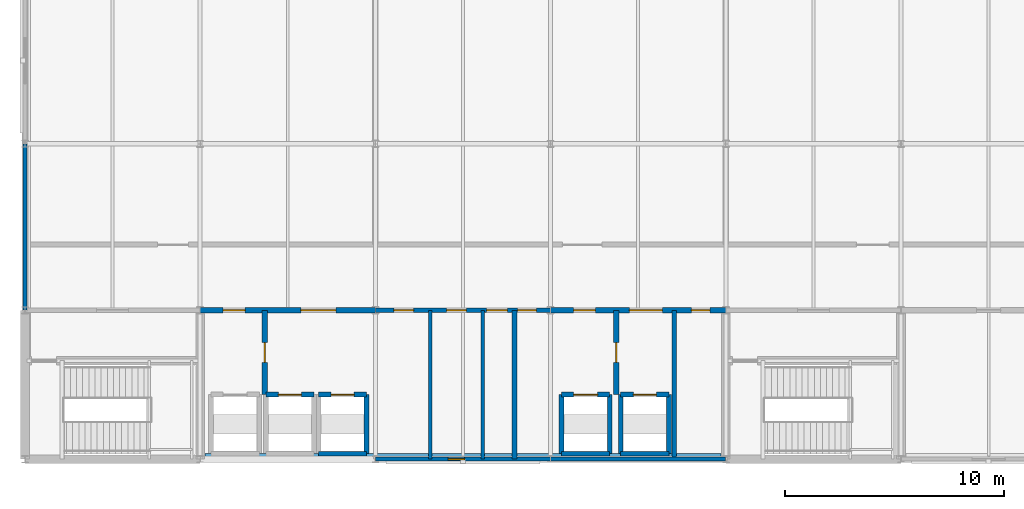
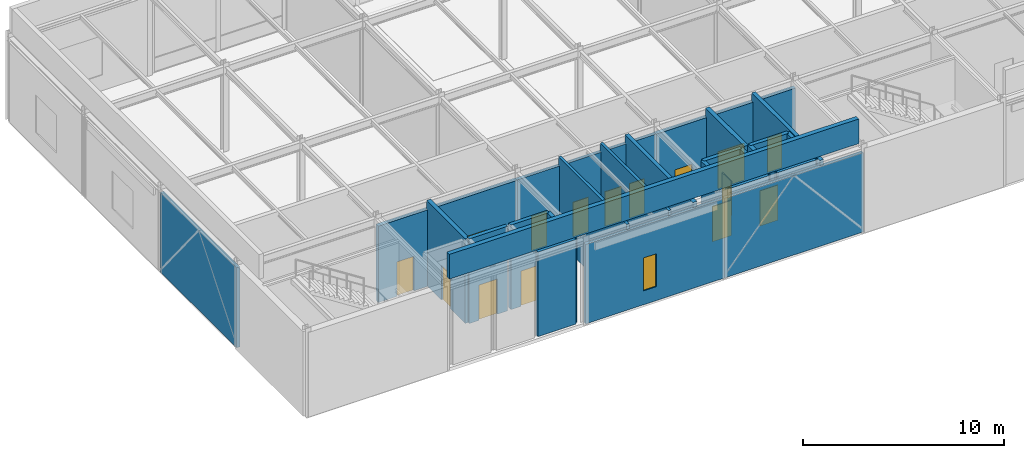
# One storey, part 9 of 12: 25 walls, 15 doors, 1 window, 16 openings.
"""IFC4 building model written with IfcOpenShell, lengths in metres."""

import ifcopenshell
import ifcopenshell.guid

model = None  # the IFC model being written
_history = None  # IfcOwnerHistory: only IFC2X3 demands one
_inside = {}  # id of a spatial element -> (the spatial element, [elements in it])
_under = {}  # id of a project, library or spatial element -> (it, [spatial elements below it])
_declared = {}  # id of a project -> (the project, [libraries it declares])
_typed = {}  # id of a type object -> (the type object, [elements of that type])
_made_of = {}  # id of a material, layer set ... -> (it, [elements and type objects made of it])


def new_model(schema):
    """Start an empty IFC model of exactly this schema.

    Asked for "IFC4X3", IfcOpenShell would pick the latest addendum, in which some entities
    have other attributes; the version numbers below select the first issue.
    IFC2X3 requires an IfcOwnerHistory on every rooted entity: one is made here for all.
    """
    global model, _history
    if schema == "IFC4X3":
        model = ifcopenshell.file(schema_version=(4, 3, 0, 0))
    else:
        model = ifcopenshell.file(schema=schema)
    _inside.clear()
    _under.clear()
    _declared.clear()
    _typed.clear()
    _made_of.clear()
    _history = None
    if model.schema == "IFC2X3":
        org = make("IfcOrganization", Name="unknown")
        user = make(
            "IfcPersonAndOrganization",
            ThePerson=make("IfcPerson", FamilyName="unknown"),
            TheOrganization=org,
        )
        app = make(
            "IfcApplication",
            ApplicationDeveloper=org,
            Version="unknown",
            ApplicationFullName="unknown",
            ApplicationIdentifier="unknown",
        )
        _history = make(
            "IfcOwnerHistory",
            OwningUser=user,
            OwningApplication=app,
            ChangeAction="ADDED",
            CreationDate=0,
        )
    return model


def make(cls, **values):
    """One entity of the class cls with the attributes given. An attribute that is None is left unset."""
    return model.create_entity(
        cls, **{name: value for name, value in values.items() if value is not None}
    )


def rooted(cls, **values):
    """An entity with a GlobalId (a new one), such as an element, a storey or a relation."""
    return make(cls, GlobalId=ifcopenshell.guid.new(), OwnerHistory=_history, **values)


def si_unit(unit_type, name, prefix=None):
    """IfcSIUnit, for example si_unit("LENGTHUNIT", "METRE", prefix="MILLI")."""
    return make("IfcSIUnit", UnitType=unit_type, Prefix=prefix, Name=name)


def assignment(units):
    """IfcUnitAssignment: the units of a project."""
    return None if units is None else make("IfcUnitAssignment", Units=units)


def point(xyz):
    """IfcCartesianPoint."""
    return None if xyz is None else make("IfcCartesianPoint", Coordinates=xyz)


def direction(xyz):
    """IfcDirection."""
    return None if xyz is None else make("IfcDirection", DirectionRatios=xyz)


def frame(location, z_axis=None, x_axis=None):
    """IfcAxis2Placement3D, a coordinate frame: its origin and axes. An axis left out is left unset."""
    return make(
        "IfcAxis2Placement3D",
        Location=point(location),
        Axis=direction(z_axis),
        RefDirection=direction(x_axis),
    )


def frame_2d(location, x_axis=None):
    """IfcAxis2Placement2D, a coordinate frame in the plane: its origin and x axis."""
    return make(
        "IfcAxis2Placement2D", Location=point(location), RefDirection=direction(x_axis)
    )


def origin():
    """The frame at (0, 0, 0) with its axes left unset."""
    return frame((0.0, 0.0, 0.0))


def place(relative_to, where):
    """IfcLocalPlacement: puts the frame where relative to a parent placement (None: the world)."""
    return make(
        "IfcLocalPlacement", PlacementRelTo=relative_to, RelativePlacement=where
    )


def context(
    kind, dimensions, precision=None, world=None, true_north=None, identifier=None
):
    """IfcGeometricRepresentationContext, for example the 3D "Model" context."""
    return make(
        "IfcGeometricRepresentationContext",
        ContextIdentifier=identifier,
        ContextType=kind,
        CoordinateSpaceDimension=dimensions,
        Precision=precision,
        WorldCoordinateSystem=world,
        TrueNorth=true_north,
    )


def subcontext(parent, identifier, kind, view, scale=None):
    """IfcGeometricRepresentationSubContext, for example "Body" below "Model"."""
    return make(
        "IfcGeometricRepresentationSubContext",
        ContextIdentifier=identifier,
        ContextType=kind,
        ParentContext=parent,
        TargetScale=scale,
        TargetView=view,
    )


def project(units=None, contexts=None):
    """IfcProject with its units and contexts."""
    return rooted(
        "IfcProject",
        Name="project",
        RepresentationContexts=contexts,
        UnitsInContext=assignment(units),
    )


def spatial(cls, under=None, at=None, **own):
    """A site, building, storey or space (cls), placed at a placement, below another one or the project."""
    s = rooted(cls, ObjectPlacement=at, **own)
    if under is not None:
        _under.setdefault(under.id(), (under, []))[1].append(s)
    return s


def profile(cls, at=None, kind="AREA", **sizes):
    """A parametric profile (cls). Its sizes go by their IFC names, for example OverallWidth=200.0."""
    return make(cls, ProfileType=kind, Position=at, **sizes)


def rectangle(**sizes):
    """IfcRectangleProfileDef."""
    return profile("IfcRectangleProfileDef", **sizes)


def extrude(swept, where, along, depth):
    """IfcExtrudedAreaSolid: the profile swept, set in the frame where, extruded along a direction by depth."""
    return make(
        "IfcExtrudedAreaSolid",
        SweptArea=swept,
        Position=where,
        ExtrudedDirection=direction(along),
        Depth=depth,
    )


def shape(context_of_items, identifier, shape_type, items):
    """IfcShapeRepresentation: the items that make up one representation, for example the "Body"."""
    return make(
        "IfcShapeRepresentation",
        ContextOfItems=context_of_items,
        RepresentationIdentifier=identifier,
        RepresentationType=shape_type,
        Items=items,
    )


def material(Name=None, Category=None):
    """IfcMaterial."""
    return make("IfcMaterial", Name=Name, Category=Category)


def layer(
    of_material, thickness, ventilated=None, Name=None, Category=None, Priority=None
):
    """IfcMaterialLayer: one layer of a wall or slab, of a material (None: an air gap)."""
    return make(
        "IfcMaterialLayer",
        Material=of_material,
        LayerThickness=thickness,
        IsVentilated=ventilated,
        Name=Name,
        Category=Category,
        Priority=Priority,
    )


def layer_set(layers, Name=None):
    """IfcMaterialLayerSet."""
    return make("IfcMaterialLayerSet", MaterialLayers=layers, LayerSetName=Name)


def made_of(thing, what):
    """Note that an element or type object is made of a material, layer set ...; save() writes the relation."""
    if what is not None:
        _made_of.setdefault(what.id(), (what, []))[1].append(thing)
    return thing


def type_object(cls, material=None, **own):
    """A type object (cls), such as IfcWallType, which elements share."""
    return made_of(rooted(cls, **own), material)


def element(
    cls,
    number,
    at=None,
    inside=None,
    cuts=None,
    type_object=None,
    material=None,
    context=None,
    identifier="Body",
    shape_type=None,
    held_by="IfcProductDefinitionShape",
    body=None,
    shapes=None,
    **own,
):
    """One element of the class cls, such as IfcWall. Its Tag is "e" and its number.

    at: its placement. inside: the storey or other place that contains it. cuts: it is an
    opening in that element (IfcRelVoidsElement). A single representation is given by context,
    identifier, shape_type and body (its items); several are given by shapes. held_by: the class
    of the entity that holds the representations. save() writes the other relations.
    """
    e = rooted(cls, Tag="e%d" % number, ObjectPlacement=at, **own)
    if body is not None:
        shapes = [shape(context, identifier, shape_type, body)]
    if shapes is not None:
        e.Representation = make(held_by, Representations=shapes)
    if inside is not None:
        _inside.setdefault(inside.id(), (inside, []))[1].append(e)
    if cuts is not None:
        rooted(
            "IfcRelVoidsElement", RelatingBuildingElement=cuts, RelatedOpeningElement=e
        )
    if type_object is not None:
        _typed.setdefault(type_object.id(), (type_object, []))[1].append(e)
    return made_of(e, material)


def fill(opening, filler):
    """IfcRelFillsElement: the door or window that sits in an opening."""
    return rooted(
        "IfcRelFillsElement",
        RelatingOpeningElement=opening,
        RelatedBuildingElement=filler,
    )


def aggregate(whole, parts):
    """IfcRelAggregates: a whole, such as a stair, and the parts it consists of."""
    return rooted("IfcRelAggregates", RelatingObject=whole, RelatedObjects=parts)


def save(model, path):
    """Write the relations noted so far, then the file.

    IfcRelAggregates (storeys below a building ...), IfcRelContainedInSpatialStructure (elements
    in a storey), IfcRelDefinesByType, IfcRelAssociatesMaterial and IfcRelDeclares: one each for
    every whole, place, type object, material and project.
    """
    for whole, parts in _under.values():
        aggregate(whole, parts)
    for where, things in _inside.values():
        rooted(
            "IfcRelContainedInSpatialStructure",
            RelatedElements=things,
            RelatingStructure=where,
        )
    for kind, things in _typed.values():
        rooted("IfcRelDefinesByType", RelatedObjects=things, RelatingType=kind)
    for what, things in _made_of.values():
        rooted("IfcRelAssociatesMaterial", RelatedObjects=things, RelatingMaterial=what)
    for by, libraries in _declared.values():
        rooted("IfcRelDeclares", RelatingContext=by, RelatedDefinitions=libraries)
    model.write(path)


model = new_model("IFC4")

# Units and contexts
model_context = context("Model", 3, precision=1e-05, world=origin(), true_north=direction((0.0, 1.0)))
body_context = subcontext(model_context, "Body", "Model", "MODEL_VIEW")
ifc_project = project(units=[si_unit("LENGTHUNIT", "METRE"), si_unit("AREAUNIT", "SQUARE_METRE"), si_unit("VOLUMEUNIT", "CUBIC_METRE"), si_unit("PLANEANGLEUNIT", "RADIAN"), si_unit("MASSUNIT", "GRAM", prefix="KILO")], contexts=[model_context])

# Site, building, storey
site_placement = place(None, origin())
site = spatial("IfcSite", under=ifc_project, at=site_placement, CompositionType="ELEMENT")
building_placement = place(site_placement, origin())
building = spatial("IfcBuilding", under=site, at=building_placement, Name="Shalkamar Park Central Library", CompositionType="ELEMENT")
storey_placement = place(building_placement, frame((0.0, 0.0, 72.300048828125)))
storey = spatial("IfcBuildingStorey", under=building, at=storey_placement, Name="L18", CompositionType="ELEMENT", Elevation=72.300048828125)

# Wall, opening, door
ifc_material_1 = material(Name="Reinforced fire-compartment masonry wall", Category="masonry")
ifc_layer_1 = layer(ifc_material_1, 0.239990234375)
ifc_layer_set_1 = layer_set([ifc_layer_1], Name="CompartmentWall_240")
wall_type_1 = type_object("IfcWallType", Name="Compartment Wall 240", PredefinedType="PARTITIONING", material=ifc_layer_set_1)
wall_1_placement = place(storey_placement, frame((175.949951171875, 251.35009765625, 0.0), z_axis=(0.0, 0.0, 1.0), x_axis=(0.0, 1.0, 0.0)))
wall_1 = element("IfcWall", 1, at=wall_1_placement, inside=storey, type_object=wall_type_1, Name="Interior Partition WL-INT-L18-001", PredefinedType="PARTITIONING", context=body_context, shape_type="SweptSolid", body=[
    extrude(rectangle(XDim=3.849853515625, YDim=0.239990234375, at=frame_2d((1.9248046875, 0.0))), origin(), (0.0, 0.0, 1.0), 5.14990234375),
])
opening_1_placement = place(wall_1_placement, frame((1.47509765625, 0.0, 0.0)))
opening_1 = element("IfcOpeningElement", 2, at=opening_1_placement, cuts=wall_1, Name="Opening DR-L18-001", PredefinedType="OPENING", context=body_context, shape_type="SweptSolid", body=[
    extrude(rectangle(XDim=0.89990234375, YDim=2.10009765625, at=frame_2d((0.449951171875, 1.050048828125))), frame((0.0, 0.134765625, 0.0), z_axis=(0.0, -1.0, 0.0), x_axis=(1.0, 0.0, 0.0)), (0.0, 0.0, 1.0), 0.269775390625),
])
ifc_material_2 = material(Name="Steel S355", Category="steel")
door_type_1 = type_object("IfcDoorType", Name="Fire Door Single 900x2100", OperationType="NOTDEFINED", PredefinedType="DOOR", material=ifc_material_2)
door_1_placement = place(opening_1_placement, origin())
door_1 = element("IfcDoor", 3, at=door_1_placement, inside=storey, type_object=door_type_1, Name="Fire Lobby Interconnect Door", OperationType="SINGLE_SWING_LEFT", OverallHeight=2.10009765625, OverallWidth=0.89990234375, PredefinedType="DOOR", context=body_context, shape_type="SweptSolid", body=[
    extrude(rectangle(XDim=0.89990234375, YDim=2.10009765625, at=frame_2d((0.449951171875, 1.050048828125))), frame((0.0, 0.02490234375, 0.0), z_axis=(0.0, -1.0, 0.0), x_axis=(1.0, 0.0, 0.0)), (0.0, 0.0, 1.0), 0.050048828125),
])
fill(opening_1, door_1)

wall_2_placement = place(storey_placement, frame((192.0, 251.35009765625, 0.0), z_axis=(0.0, 0.0, 1.0), x_axis=(0.0, 1.0, 0.0)))
wall_2 = element("IfcWall", 4, at=wall_2_placement, inside=storey, type_object=wall_type_1, Name="Interior Partition WL-INT-L18-002", PredefinedType="PARTITIONING", context=body_context, shape_type="SweptSolid", body=[
    extrude(rectangle(XDim=3.849853515625, YDim=0.239990234375, at=frame_2d((1.9248046875, 0.0))), origin(), (0.0, 0.0, 1.0), 5.14990234375),
])
opening_2_placement = place(wall_2_placement, frame((1.47509765625, 0.0, 0.0)))
opening_2 = element("IfcOpeningElement", 5, at=opening_2_placement, cuts=wall_2, Name="Opening DR-L18-002", PredefinedType="OPENING", context=body_context, shape_type="SweptSolid", body=[
    extrude(rectangle(XDim=0.89990234375, YDim=2.10009765625, at=frame_2d((0.449951171875, 1.050048828125))), frame((0.0, 0.134765625, 0.0), z_axis=(0.0, -1.0, 0.0), x_axis=(1.0, 0.0, 0.0)), (0.0, 0.0, 1.0), 0.269775390625),
])
door_2_placement = place(opening_2_placement, frame((0.89990234375, 0.0, 0.0), z_axis=(0.0, 0.0, 1.0), x_axis=(-1.0, 0.0, 0.0)))
door_2 = element("IfcDoor", 6, at=door_2_placement, inside=storey, type_object=door_type_1, Name="Fire Lobby Interconnect Door", OperationType="SINGLE_SWING_LEFT", OverallHeight=2.10009765625, OverallWidth=0.89990234375, PredefinedType="DOOR", context=body_context, shape_type="SweptSolid", body=[
    extrude(rectangle(XDim=0.89990234375, YDim=2.10009765625, at=frame_2d((0.449951171875, 1.050048828125))), frame((0.0, 0.02490234375, 0.0), z_axis=(0.0, -1.0, 0.0), x_axis=(1.0, 0.0, 0.0)), (0.0, 0.0, 1.0), 0.050048828125),
])
fill(opening_2, door_2)

# Wall, openings, doors
wall_3_placement = place(storey_placement, frame((173.0, 255.199951171875, 0.0), z_axis=(0.0, 0.0, 1.0), x_axis=(1.0, 0.0, 0.0)))
wall_3 = element("IfcWall", 7, at=wall_3_placement, inside=storey, type_object=wall_type_1, Name="Interior Partition WL-INT-L18-007", PredefinedType="PARTITIONING", context=body_context, shape_type="SweptSolid", body=[
    extrude(rectangle(XDim=8.0, YDim=0.239990234375, at=frame_2d((4.0, 0.0))), origin(), (0.0, 0.0, 1.0), 4.64794921875),
])
opening_3_placement = place(wall_3_placement, frame((1.050048828125, 0.0, 0.0)))
opening_3 = element("IfcOpeningElement", 8, at=opening_3_placement, cuts=wall_3, Name="Opening DR-L18-003", PredefinedType="OPENING", context=body_context, shape_type="SweptSolid", body=[
    extrude(rectangle(XDim=1.0, YDim=2.10009765625, at=frame_2d((0.5, 1.050048828125))), frame((0.0, 0.134765625, 0.0), z_axis=(0.0, -1.0, 0.0), x_axis=(1.0, 0.0, 0.0)), (0.0, 0.0, 1.0), 0.269775390625),
])
opening_4_placement = place(wall_3_placement, frame((4.60009765625, 0.0, 0.0)))
opening_4 = element("IfcOpeningElement", 9, at=opening_4_placement, cuts=wall_3, Name="Opening DR-L18-004", PredefinedType="OPENING", context=body_context, shape_type="SweptSolid", body=[
    extrude(rectangle(XDim=1.60009765625, YDim=2.25, at=frame_2d((0.800048828125, 1.125))), frame((0.0, 0.134765625, 0.0), z_axis=(0.0, -1.0, 0.0), x_axis=(1.0, 0.0, 0.0)), (0.0, 0.0, 1.0), 0.269775390625),
])
door_type_2 = type_object("IfcDoorType", Name="Fire Door Single 1000x2100", OperationType="NOTDEFINED", PredefinedType="DOOR", material=ifc_material_2)
door_3_placement = place(opening_3_placement, origin())
door_3 = element("IfcDoor", 10, at=door_3_placement, inside=storey, type_object=door_type_2, Name="West Firefighting Lobby Door", OperationType="SINGLE_SWING_LEFT", OverallHeight=2.10009765625, OverallWidth=1.0, PredefinedType="DOOR", context=body_context, shape_type="SweptSolid", body=[
    extrude(rectangle(XDim=1.0, YDim=2.10009765625, at=frame_2d((0.5, 1.050048828125))), frame((0.0, 0.02490234375, 0.0), z_axis=(0.0, -1.0, 0.0), x_axis=(1.0, 0.0, 0.0)), (0.0, 0.0, 1.0), 0.050048828125),
])
fill(opening_3, door_3)
door_type_3 = type_object("IfcDoorType", Name="Interior Door Double 1600x2250", OperationType="DOUBLE_DOOR_SINGLE_SWING", PredefinedType="DOOR", material=ifc_material_2)
door_4_placement = place(opening_4_placement, frame((1.60009765625, 0.0, 0.0), z_axis=(0.0, 0.0, 1.0), x_axis=(-1.0, 0.0, 0.0)))
door_4 = element("IfcDoor", 11, at=door_4_placement, inside=storey, type_object=door_type_3, Name="West Lift Lobby Entrance", OperationType="DOUBLE_DOOR_SINGLE_SWING", OverallHeight=2.25, OverallWidth=1.60009765625, PredefinedType="DOOR", context=body_context, shape_type="SweptSolid", body=[
    extrude(rectangle(XDim=1.60009765625, YDim=2.25, at=frame_2d((0.800048828125, 1.125))), frame((0.0, 0.02490234375, 0.0), z_axis=(0.0, -1.0, 0.0), x_axis=(1.0, 0.0, 0.0)), (0.0, 0.0, 1.0), 0.050048828125),
])
fill(opening_4, door_4)

wall_4_placement = place(storey_placement, frame((189.0, 255.199951171875, 0.0), z_axis=(0.0, 0.0, 1.0), x_axis=(1.0, 0.0, 0.0)))
wall_4 = element("IfcWall", 12, at=wall_4_placement, inside=storey, type_object=wall_type_1, Name="Interior Partition WL-INT-L18-009", PredefinedType="PARTITIONING", context=body_context, shape_type="SweptSolid", body=[
    extrude(rectangle(XDim=8.0, YDim=0.239990234375, at=frame_2d((4.0, 0.0))), origin(), (0.0, 0.0, 1.0), 4.64794921875),
])
opening_5_placement = place(wall_4_placement, frame((1.050048828125, 0.0, 0.0)))
opening_5 = element("IfcOpeningElement", 13, at=opening_5_placement, cuts=wall_4, Name="Opening DR-L18-009", PredefinedType="OPENING", context=body_context, shape_type="SweptSolid", body=[
    extrude(rectangle(XDim=1.0, YDim=2.10009765625, at=frame_2d((0.5, 1.050048828125))), frame((0.0, 0.134765625, 0.0), z_axis=(0.0, -1.0, 0.0), x_axis=(1.0, 0.0, 0.0)), (0.0, 0.0, 1.0), 0.269775390625),
])
opening_6_placement = place(wall_4_placement, frame((3.60009765625, 0.0, 0.0)))
opening_6 = element("IfcOpeningElement", 14, at=opening_6_placement, cuts=wall_4, Name="Opening DR-L18-010", PredefinedType="OPENING", context=body_context, shape_type="SweptSolid", body=[
    extrude(rectangle(XDim=1.5, YDim=2.25, at=frame_2d((0.75, 1.125))), frame((0.0, 0.134765625, 0.0), z_axis=(0.0, -1.0, 0.0), x_axis=(1.0, 0.0, 0.0)), (0.0, 0.0, 1.0), 0.269775390625),
])
opening_7_placement = place(wall_4_placement, frame((6.425048828125, 0.0, 0.0)))
opening_7 = element("IfcOpeningElement", 15, at=opening_7_placement, cuts=wall_4, Name="Opening DR-L18-011", PredefinedType="OPENING", context=body_context, shape_type="SweptSolid", body=[
    extrude(rectangle(XDim=0.85009765625, YDim=2.10009765625, at=frame_2d((0.425048828125, 1.050048828125))), frame((0.0, 0.134765625, 0.0), z_axis=(0.0, -1.0, 0.0), x_axis=(1.0, 0.0, 0.0)), (0.0, 0.0, 1.0), 0.269775390625),
])
door_type_4 = type_object("IfcDoorType", Name="Fire Door Riser 850x2100", OperationType="NOTDEFINED", PredefinedType="DOOR", material=ifc_material_2)
door_5_placement = place(opening_7_placement, frame((0.85009765625, 0.0, 0.0), z_axis=(0.0, 0.0, 1.0), x_axis=(-1.0, 0.0, 0.0)))
door_5 = element("IfcDoor", 16, at=door_5_placement, inside=storey, type_object=door_type_4, Name="Mechanical Riser Access Door", OperationType="SINGLE_SWING_LEFT", OverallHeight=2.10009765625, OverallWidth=0.85009765625, PredefinedType="DOOR", context=body_context, shape_type="SweptSolid", body=[
    extrude(rectangle(XDim=0.85009765625, YDim=2.10009765625, at=frame_2d((0.425048828125, 1.050048828125))), frame((0.0, 0.02490234375, 0.0), z_axis=(0.0, -1.0, 0.0), x_axis=(1.0, 0.0, 0.0)), (0.0, 0.0, 1.0), 0.050048828125),
])
fill(opening_7, door_5)
door_6_placement = place(opening_5_placement, origin())
door_6 = element("IfcDoor", 17, at=door_6_placement, inside=storey, type_object=door_type_2, Name="East Firefighting Lobby Door", OperationType="SINGLE_SWING_LEFT", OverallHeight=2.10009765625, OverallWidth=1.0, PredefinedType="DOOR", context=body_context, shape_type="SweptSolid", body=[
    extrude(rectangle(XDim=1.0, YDim=2.10009765625, at=frame_2d((0.5, 1.050048828125))), frame((0.0, 0.02490234375, 0.0), z_axis=(0.0, -1.0, 0.0), x_axis=(1.0, 0.0, 0.0)), (0.0, 0.0, 1.0), 0.050048828125),
])
fill(opening_5, door_6)
door_type_5 = type_object("IfcDoorType", Name="Interior Door Double 1500x2250", OperationType="DOUBLE_DOOR_SINGLE_SWING", PredefinedType="DOOR", material=ifc_material_2)
door_7_placement = place(opening_6_placement, origin())
door_7 = element("IfcDoor", 18, at=door_7_placement, inside=storey, type_object=door_type_5, Name="East Lift Lobby Entrance", OperationType="DOUBLE_DOOR_SINGLE_SWING", OverallHeight=2.25, OverallWidth=1.5, PredefinedType="DOOR", context=body_context, shape_type="SweptSolid", body=[
    extrude(rectangle(XDim=1.5, YDim=2.25, at=frame_2d((0.75, 1.125))), frame((0.0, 0.02490234375, 0.0), z_axis=(0.0, -1.0, 0.0), x_axis=(1.0, 0.0, 0.0)), (0.0, 0.0, 1.0), 0.050048828125),
])
fill(opening_6, door_7)

ifc_material_3 = material(Name="Fire-rated corridor partition wall", Category="masonry")
ifc_layer_2 = layer(ifc_material_3, 0.199951171875)
ifc_layer_set_2 = layer_set([ifc_layer_2], Name="CorridorFireWall_200")
wall_type_2 = type_object("IfcWallType", Name="Corridor Fire Wall 200", PredefinedType="PARTITIONING", material=ifc_layer_set_2)
wall_5_placement = place(storey_placement, frame((181.0, 255.199951171875, 0.0), z_axis=(0.0, 0.0, 1.0), x_axis=(1.0, 0.0, 0.0)))
wall_5 = element("IfcWall", 19, at=wall_5_placement, inside=storey, type_object=wall_type_2, Name="Interior Partition WL-INT-L18-008", PredefinedType="PARTITIONING", context=body_context, shape_type="SweptSolid", body=[
    extrude(rectangle(XDim=8.0, YDim=0.199951171875, at=frame_2d((4.0, 0.0))), origin(), (0.0, 0.0, 1.0), 4.64794921875),
])
opening_8_placement = place(wall_5_placement, frame((0.85009765625, 0.0, 0.0)))
opening_8 = element("IfcOpeningElement", 20, at=opening_8_placement, cuts=wall_5, Name="Opening DR-L18-005", PredefinedType="OPENING", context=body_context, shape_type="SweptSolid", body=[
    extrude(rectangle(XDim=0.89990234375, YDim=2.10009765625, at=frame_2d((0.449951171875, 1.050048828125))), frame((0.0, 0.11474609375, 0.0), z_axis=(0.0, -1.0, 0.0), x_axis=(1.0, 0.0, 0.0)), (0.0, 0.0, 1.0), 0.229736328125),
])
opening_9_placement = place(wall_5_placement, frame((3.25, 0.0, 0.0)))
opening_9 = element("IfcOpeningElement", 21, at=opening_9_placement, cuts=wall_5, Name="Opening DR-L18-006", PredefinedType="OPENING", context=body_context, shape_type="SweptSolid", body=[
    extrude(rectangle(XDim=0.89990234375, YDim=2.10009765625, at=frame_2d((0.449951171875, 1.050048828125))), frame((0.0, 0.11474609375, 0.0), z_axis=(0.0, -1.0, 0.0), x_axis=(1.0, 0.0, 0.0)), (0.0, 0.0, 1.0), 0.229736328125),
])
opening_10_placement = place(wall_5_placement, frame((5.074951171875, 0.0, 0.0)))
opening_10 = element("IfcOpeningElement", 22, at=opening_10_placement, cuts=wall_5, Name="Opening DR-L18-007", PredefinedType="OPENING", context=body_context, shape_type="SweptSolid", body=[
    extrude(rectangle(XDim=0.949951171875, YDim=2.10009765625, at=frame_2d((0.47509765625, 1.050048828125))), frame((0.0, 0.11474609375, 0.0), z_axis=(0.0, -1.0, 0.0), x_axis=(1.0, 0.0, 0.0)), (0.0, 0.0, 1.0), 0.229736328125),
])
opening_11_placement = place(wall_5_placement, frame((6.5, 0.0, 0.0)))
opening_11 = element("IfcOpeningElement", 23, at=opening_11_placement, cuts=wall_5, Name="Opening DR-L18-008", PredefinedType="OPENING", context=body_context, shape_type="SweptSolid", body=[
    extrude(rectangle(XDim=0.85009765625, YDim=2.10009765625, at=frame_2d((0.425048828125, 1.050048828125))), frame((0.0, 0.11474609375, 0.0), z_axis=(0.0, -1.0, 0.0), x_axis=(1.0, 0.0, 0.0)), (0.0, 0.0, 1.0), 0.229736328125),
])
door_8_placement = place(opening_11_placement, frame((0.85009765625, 0.0, 0.0), z_axis=(0.0, 0.0, 1.0), x_axis=(-1.0, 0.0, 0.0)))
door_8 = element("IfcDoor", 24, at=door_8_placement, inside=storey, type_object=door_type_4, Name="Electrical Riser Access Door", OperationType="SINGLE_SWING_LEFT", OverallHeight=2.10009765625, OverallWidth=0.85009765625, PredefinedType="DOOR", context=body_context, shape_type="SweptSolid", body=[
    extrude(rectangle(XDim=0.85009765625, YDim=2.10009765625, at=frame_2d((0.425048828125, 1.050048828125))), frame((0.0, 0.02490234375, 0.0), z_axis=(0.0, -1.0, 0.0), x_axis=(1.0, 0.0, 0.0)), (0.0, 0.0, 1.0), 0.050048828125),
])
fill(opening_11, door_8)
door_type_6 = type_object("IfcDoorType", Name="Interior Door Single 900x2100", OperationType="NOTDEFINED", PredefinedType="DOOR", material=ifc_material_2)
door_9_placement = place(opening_8_placement, frame((0.89990234375, 0.0, 0.0), z_axis=(0.0, 0.0, 1.0), x_axis=(-1.0, 0.0, 0.0)))
door_9 = element("IfcDoor", 25, at=door_9_placement, inside=storey, type_object=door_type_6, Name="Male WC Door", OperationType="SINGLE_SWING_RIGHT", OverallHeight=2.10009765625, OverallWidth=0.89990234375, PredefinedType="DOOR", context=body_context, shape_type="SweptSolid", body=[
    extrude(rectangle(XDim=0.89990234375, YDim=2.10009765625, at=frame_2d((0.449951171875, 1.050048828125))), frame((0.0, 0.02490234375, 0.0), z_axis=(0.0, -1.0, 0.0), x_axis=(1.0, 0.0, 0.0)), (0.0, 0.0, 1.0), 0.050048828125),
])
fill(opening_8, door_9)
door_10_placement = place(opening_9_placement, frame((0.89990234375, 0.0, 0.0), z_axis=(0.0, 0.0, 1.0), x_axis=(-1.0, 0.0, 0.0)))
door_10 = element("IfcDoor", 26, at=door_10_placement, inside=storey, type_object=door_type_6, Name="Female WC Door", OperationType="SINGLE_SWING_RIGHT", OverallHeight=2.10009765625, OverallWidth=0.89990234375, PredefinedType="DOOR", context=body_context, shape_type="SweptSolid", body=[
    extrude(rectangle(XDim=0.89990234375, YDim=2.10009765625, at=frame_2d((0.449951171875, 1.050048828125))), frame((0.0, 0.02490234375, 0.0), z_axis=(0.0, -1.0, 0.0), x_axis=(1.0, 0.0, 0.0)), (0.0, 0.0, 1.0), 0.050048828125),
])
fill(opening_9, door_10)
door_type_7 = type_object("IfcDoorType", Name="Interior Door Single 950x2100", OperationType="NOTDEFINED", PredefinedType="DOOR", material=ifc_material_2)
door_11_placement = place(opening_10_placement, frame((0.949951171875, 0.0, 0.0), z_axis=(0.0, 0.0, 1.0), x_axis=(-1.0, 0.0, 0.0)))
door_11 = element("IfcDoor", 27, at=door_11_placement, inside=storey, type_object=door_type_7, Name="Universal Accessible WC Door", OperationType="SINGLE_SWING_LEFT", OverallHeight=2.10009765625, OverallWidth=0.949951171875, PredefinedType="DOOR", context=body_context, shape_type="SweptSolid", body=[
    extrude(rectangle(XDim=0.949951171875, YDim=2.10009765625, at=frame_2d((0.47509765625, 1.050048828125))), frame((0.0, 0.02490234375, 0.0), z_axis=(0.0, -1.0, 0.0), x_axis=(1.0, 0.0, 0.0)), (0.0, 0.0, 1.0), 0.050048828125),
])
fill(opening_10, door_11)

# Wall
ifc_material_4 = material(Name="Concrete C35/45 precast", Category="concrete")
ifc_layer_3 = layer(ifc_material_4, 0.260009765625)
ifc_layer_set_3 = layer_set([ifc_layer_3], Name="Concrete C35/45 precast")
wall_type_3 = type_object("IfcWallType", Name="Crown Keystone Parapet 260", PredefinedType="PARAPET", material=ifc_layer_set_3)
wall_6_placement = place(storey_placement, frame((173.219970703125, 248.530029296875, 5.39990234375), z_axis=(0.0, 0.0, 1.0), x_axis=(1.0, 0.0, 0.0)))
element("IfcWall", 28, at=wall_6_placement, inside=storey, type_object=wall_type_3, Name="Roof Parapet Wall L18-38", PredefinedType="PARAPET", context=body_context, shape_type="SweptSolid", body=[
    extrude(rectangle(XDim=23.56005859375, YDim=0.260009765625, at=frame_2d((11.780029296875, 0.0))), origin(), (0.0, 0.0, 1.0), 1.5),
])

# Wall, opening, door
ifc_material_5 = material(Name="Concrete C40/50", Category="concrete")
ifc_layer_4 = layer(ifc_material_5, 0.219970703125)
ifc_layer_set_4 = layer_set([ifc_layer_4], Name="Concrete C40/50")
wall_type_4 = type_object("IfcWallType", Name="Lift Hoistway Shear Wall 220", PredefinedType="SHEAR", material=ifc_layer_set_4)
wall_7_placement = place(storey_placement, frame((176.0, 251.35009765625, 0.0), z_axis=(0.0, 0.0, 1.0), x_axis=(1.0, 0.0, 0.0)))
wall_7 = element("IfcWall", 29, at=wall_7_placement, inside=storey, type_object=wall_type_4, Name="Lift LT-01 Hoistway Front Wall (L18)", PredefinedType="SHEAR", context=body_context, shape_type="SweptSolid", body=[
    extrude(rectangle(XDim=2.199951171875, YDim=0.219970703125, at=frame_2d((1.10009765625, 0.0))), origin(), (0.0, 0.0, 1.0), 5.14990234375),
])
opening_12_placement = place(wall_7_placement, frame((0.574951171875, 0.0, 0.0)))
opening_12 = element("IfcOpeningElement", 30, at=opening_12_placement, cuts=wall_7, Name="Opening LD-LT-01-L18", PredefinedType="OPENING", context=body_context, shape_type="SweptSolid", body=[
    extrude(rectangle(XDim=1.050048828125, YDim=2.14990234375, at=frame_2d((0.52490234375, 1.074951171875))), frame((0.0, 0.125, 0.0), z_axis=(0.0, -1.0, 0.0), x_axis=(1.0, 0.0, 0.0)), (0.0, 0.0, 1.0), 0.249755859375),
])
door_type_8 = type_object("IfcDoorType", Name="Passenger Lift Landing Door 1050x2150", OperationType="DOUBLE_DOOR_SLIDING", PredefinedType="USERDEFINED", material=ifc_material_2)
door_12_placement = place(opening_12_placement, origin())
door_12 = element("IfcDoor", 31, at=door_12_placement, inside=storey, type_object=door_type_8, Name="Lift LT-01 Sliding Landing Door (L18)", ObjectType="SLIDING LANDING DOOR", OperationType="DOUBLE_DOOR_SLIDING", OverallHeight=2.14990234375, OverallWidth=1.050048828125, PredefinedType="USERDEFINED", context=body_context, shape_type="SweptSolid", body=[
    extrude(rectangle(XDim=1.050048828125, YDim=2.14990234375, at=frame_2d((0.52490234375, 1.074951171875))), frame((0.0, 0.02490234375, 0.0), z_axis=(0.0, -1.0, 0.0), x_axis=(1.0, 0.0, 0.0)), (0.0, 0.0, 1.0), 0.050048828125),
])
fill(opening_12, door_12)

# Walls
wall_8_placement = place(storey_placement, frame((178.39990234375, 248.64990234375, 0.0), z_axis=(0.0, 0.0, 1.0), x_axis=(1.0, 0.0, 0.0)))
element("IfcWall", 32, at=wall_8_placement, inside=storey, type_object=wall_type_4, Name="Lift LT-02 Hoistway South Wall (L18)", PredefinedType="SHEAR", context=body_context, shape_type="SweptSolid", body=[
    extrude(rectangle(XDim=2.2001953125, YDim=0.219970703125, at=frame_2d((1.10009765625, 0.0))), origin(), (0.0, 0.0, 1.0), 5.14990234375),
])
wall_9_placement = place(storey_placement, frame((180.60009765625, 248.64990234375, 0.0), z_axis=(0.0, 0.0, 1.0), x_axis=(0.0, 1.0, 0.0)))
element("IfcWall", 33, at=wall_9_placement, inside=storey, type_object=wall_type_4, Name="Lift LT-02 Hoistway East Wall (L18)", PredefinedType="SHEAR", context=body_context, shape_type="SweptSolid", body=[
    extrude(rectangle(XDim=2.7001953125, YDim=0.219970703125, at=frame_2d((1.35009765625, 0.0))), origin(), (0.0, 0.0, 1.0), 5.14990234375),
])

# Wall, opening, door
wall_10_placement = place(storey_placement, frame((178.39990234375, 251.35009765625, 0.0), z_axis=(0.0, 0.0, 1.0), x_axis=(1.0, 0.0, 0.0)))
wall_10 = element("IfcWall", 34, at=wall_10_placement, inside=storey, type_object=wall_type_4, Name="Lift LT-02 Hoistway Front Wall (L18)", PredefinedType="SHEAR", context=body_context, shape_type="SweptSolid", body=[
    extrude(rectangle(XDim=2.2001953125, YDim=0.219970703125, at=frame_2d((1.10009765625, 0.0))), origin(), (0.0, 0.0, 1.0), 5.14990234375),
])
opening_13_placement = place(wall_10_placement, frame((0.574951171875, 0.0, 0.0)))
opening_13 = element("IfcOpeningElement", 35, at=opening_13_placement, cuts=wall_10, Name="Opening LD-LT-02-L18", PredefinedType="OPENING", context=body_context, shape_type="SweptSolid", body=[
    extrude(rectangle(XDim=1.050048828125, YDim=2.14990234375, at=frame_2d((0.52490234375, 1.074951171875))), frame((0.0, 0.125, 0.0), z_axis=(0.0, -1.0, 0.0), x_axis=(1.0, 0.0, 0.0)), (0.0, 0.0, 1.0), 0.249755859375),
])
door_13_placement = place(opening_13_placement, origin())
door_13 = element("IfcDoor", 36, at=door_13_placement, inside=storey, type_object=door_type_8, Name="Lift LT-02 Sliding Landing Door (L18)", ObjectType="SLIDING LANDING DOOR", OperationType="DOUBLE_DOOR_SLIDING", OverallHeight=2.14990234375, OverallWidth=1.050048828125, PredefinedType="USERDEFINED", context=body_context, shape_type="SweptSolid", body=[
    extrude(rectangle(XDim=1.050048828125, YDim=2.14990234375, at=frame_2d((0.52490234375, 1.074951171875))), frame((0.0, 0.02490234375, 0.0), z_axis=(0.0, -1.0, 0.0), x_axis=(1.0, 0.0, 0.0)), (0.0, 0.0, 1.0), 0.050048828125),
])
fill(opening_13, door_13)

# Walls
wall_11_placement = place(storey_placement, frame((189.5, 248.64990234375, 0.0), z_axis=(0.0, 0.0, 1.0), x_axis=(1.0, 0.0, 0.0)))
element("IfcWall", 37, at=wall_11_placement, inside=storey, type_object=wall_type_4, Name="Lift FFL-02 Hoistway South Wall (L18)", PredefinedType="SHEAR", context=body_context, shape_type="SweptSolid", body=[
    extrude(rectangle(XDim=2.199951171875, YDim=0.219970703125, at=frame_2d((1.10009765625, 0.0))), origin(), (0.0, 0.0, 1.0), 5.14990234375),
])
for number, where, z_axis, x_axis, name in (
    (38, (189.5, 248.64990234375, 0.0), (0.0, 0.0, 1.0), (0.0, 1.0, 0.0), "Lift FFL-02 Hoistway West Wall (L18)"),
    (39, (191.699951171875, 248.64990234375, 0.0), (0.0, 0.0, 1.0), (0.0, 1.0, 0.0), "Lift FFL-02 Hoistway East Wall (L18)"),
):
    element("IfcWall", number, at=place(storey_placement, frame(where, z_axis=z_axis, x_axis=x_axis)), inside=storey, type_object=wall_type_4, Name=name, PredefinedType="SHEAR", context=body_context, shape_type="SweptSolid", body=[
        extrude(rectangle(XDim=2.7001953125, YDim=0.219970703125, at=frame_2d((1.35009765625, 0.0))), origin(), (0.0, 0.0, 1.0), 5.14990234375),
    ])

# Wall, opening, door
wall_12_placement = place(storey_placement, frame((189.5, 251.35009765625, 0.0), z_axis=(0.0, 0.0, 1.0), x_axis=(1.0, 0.0, 0.0)))
wall_12 = element("IfcWall", 40, at=wall_12_placement, inside=storey, type_object=wall_type_4, Name="Lift FFL-02 Hoistway Front Wall (L18)", PredefinedType="SHEAR", context=body_context, shape_type="SweptSolid", body=[
    extrude(rectangle(XDim=2.199951171875, YDim=0.219970703125, at=frame_2d((1.10009765625, 0.0))), origin(), (0.0, 0.0, 1.0), 5.14990234375),
])
opening_14_placement = place(wall_12_placement, frame((0.550048828125, 0.0, 0.0)))
opening_14 = element("IfcOpeningElement", 41, at=opening_14_placement, cuts=wall_12, Name="Opening LD-FFL-02-L18", PredefinedType="OPENING", context=body_context, shape_type="SweptSolid", body=[
    extrude(rectangle(XDim=1.10009765625, YDim=2.14990234375, at=frame_2d((0.550048828125, 1.074951171875))), frame((0.0, 0.125, 0.0), z_axis=(0.0, -1.0, 0.0), x_axis=(1.0, 0.0, 0.0)), (0.0, 0.0, 1.0), 0.249755859375),
])
door_type_9 = type_object("IfcDoorType", Name="Fire Lift Landing Door 1100x2150", OperationType="DOUBLE_DOOR_SLIDING", PredefinedType="USERDEFINED", material=ifc_material_2)
door_14_placement = place(opening_14_placement, origin())
door_14 = element("IfcDoor", 42, at=door_14_placement, inside=storey, type_object=door_type_9, Name="Lift FFL-02 Sliding Landing Door (L18)", ObjectType="SLIDING LANDING DOOR", OperationType="DOUBLE_DOOR_SLIDING", OverallHeight=2.14990234375, OverallWidth=1.10009765625, PredefinedType="USERDEFINED", context=body_context, shape_type="SweptSolid", body=[
    extrude(rectangle(XDim=1.10009765625, YDim=2.14990234375, at=frame_2d((0.550048828125, 1.074951171875))), frame((0.0, 0.02490234375, 0.0), z_axis=(0.0, -1.0, 0.0), x_axis=(1.0, 0.0, 0.0)), (0.0, 0.0, 1.0), 0.050048828125),
])
fill(opening_14, door_14)

# Walls
wall_13_placement = place(storey_placement, frame((192.199951171875, 248.64990234375, 0.0), z_axis=(0.0, 0.0, 1.0), x_axis=(1.0, 0.0, 0.0)))
element("IfcWall", 43, at=wall_13_placement, inside=storey, type_object=wall_type_4, Name="Lift LT-03 Hoistway South Wall (L18)", PredefinedType="SHEAR", context=body_context, shape_type="SweptSolid", body=[
    extrude(rectangle(XDim=2.199951171875, YDim=0.219970703125, at=frame_2d((1.10009765625, 0.0))), origin(), (0.0, 0.0, 1.0), 5.14990234375),
])
for number, where, z_axis, x_axis, name in (
    (44, (192.199951171875, 248.64990234375, 0.0), (0.0, 0.0, 1.0), (0.0, 1.0, 0.0), "Lift LT-03 Hoistway West Wall (L18)"),
    (45, (194.39990234375, 248.64990234375, 0.0), (0.0, 0.0, 1.0), (0.0, 1.0, 0.0), "Lift LT-03 Hoistway East Wall (L18)"),
):
    element("IfcWall", number, at=place(storey_placement, frame(where, z_axis=z_axis, x_axis=x_axis)), inside=storey, type_object=wall_type_4, Name=name, PredefinedType="SHEAR", context=body_context, shape_type="SweptSolid", body=[
        extrude(rectangle(XDim=2.7001953125, YDim=0.219970703125, at=frame_2d((1.35009765625, 0.0))), origin(), (0.0, 0.0, 1.0), 5.14990234375),
    ])

# Wall, opening, door
wall_14_placement = place(storey_placement, frame((192.199951171875, 251.35009765625, 0.0), z_axis=(0.0, 0.0, 1.0), x_axis=(1.0, 0.0, 0.0)))
wall_14 = element("IfcWall", 46, at=wall_14_placement, inside=storey, type_object=wall_type_4, Name="Lift LT-03 Hoistway Front Wall (L18)", PredefinedType="SHEAR", context=body_context, shape_type="SweptSolid", body=[
    extrude(rectangle(XDim=2.199951171875, YDim=0.219970703125, at=frame_2d((1.10009765625, 0.0))), origin(), (0.0, 0.0, 1.0), 5.14990234375),
])
opening_15_placement = place(wall_14_placement, frame((0.574951171875, 0.0, 0.0)))
opening_15 = element("IfcOpeningElement", 47, at=opening_15_placement, cuts=wall_14, Name="Opening LD-LT-03-L18", PredefinedType="OPENING", context=body_context, shape_type="SweptSolid", body=[
    extrude(rectangle(XDim=1.050048828125, YDim=2.14990234375, at=frame_2d((0.52490234375, 1.074951171875))), frame((0.0, 0.125, 0.0), z_axis=(0.0, -1.0, 0.0), x_axis=(1.0, 0.0, 0.0)), (0.0, 0.0, 1.0), 0.249755859375),
])
door_15_placement = place(opening_15_placement, origin())
door_15 = element("IfcDoor", 48, at=door_15_placement, inside=storey, type_object=door_type_8, Name="Lift LT-03 Sliding Landing Door (L18)", ObjectType="SLIDING LANDING DOOR", OperationType="DOUBLE_DOOR_SLIDING", OverallHeight=2.14990234375, OverallWidth=1.050048828125, PredefinedType="USERDEFINED", context=body_context, shape_type="SweptSolid", body=[
    extrude(rectangle(XDim=1.050048828125, YDim=2.14990234375, at=frame_2d((0.52490234375, 1.074951171875))), frame((0.0, 0.02490234375, 0.0), z_axis=(0.0, -1.0, 0.0), x_axis=(1.0, 0.0, 0.0)), (0.0, 0.0, 1.0), 0.050048828125),
])
fill(opening_15, door_15)

# Walls
ifc_material_6 = material(Name="Moisture-resistant sanitary partition", Category="masonry")
ifc_layer_5 = layer(ifc_material_6, 0.159912109375)
ifc_layer_set_5 = layer_set([ifc_layer_5], Name="PlumbingChaseWall_160")
wall_type_5 = type_object("IfcWallType", Name="Plumbing Chase Wall 160", PredefinedType="PARTITIONING", material=ifc_layer_set_5)
for number, where, z_axis, x_axis, name in (
    (49, (183.5, 248.39990234375, 0.0), (0.0, 0.0, 1.0), (0.0, 1.0, 0.0), "Interior Partition WL-INT-L18-004"),
    (50, (185.89990234375, 248.39990234375, 0.0), (0.0, 0.0, 1.0), (0.0, 1.0, 0.0), "Interior Partition WL-INT-L18-005"),
):
    element("IfcWall", number, at=place(storey_placement, frame(where, z_axis=z_axis, x_axis=x_axis)), inside=storey, type_object=wall_type_5, Name=name, PredefinedType="PARTITIONING", context=body_context, shape_type="SweptSolid", body=[
        extrude(rectangle(XDim=6.800048828125, YDim=0.159912109375, at=frame_2d((3.39990234375, 0.0))), origin(), (0.0, 0.0, 1.0), 5.14990234375),
    ])
ifc_material_7 = material(Name="Fire-rated shaft enclosure wall", Category="masonry")
ifc_layer_6 = layer(ifc_material_7, 0.219970703125)
ifc_layer_set_6 = layer_set([ifc_layer_6], Name="ShaftWall_220")
wall_type_6 = type_object("IfcWallType", Name="Shaft Wall 220", PredefinedType="PARTITIONING", material=ifc_layer_set_6)
for number, where, z_axis, x_axis, name in (
    (51, (194.64990234375, 248.39990234375, 0.0), (0.0, 0.0, 1.0), (0.0, 1.0, 0.0), "Interior Partition WL-INT-L18-003"),
    (52, (187.35009765625, 248.39990234375, 0.0), (0.0, 0.0, 1.0), (0.0, 1.0, 0.0), "Interior Partition WL-INT-L18-006"),
):
    element("IfcWall", number, at=place(storey_placement, frame(where, z_axis=z_axis, x_axis=x_axis)), inside=storey, type_object=wall_type_6, Name=name, PredefinedType="PARTITIONING", context=body_context, shape_type="SweptSolid", body=[
        extrude(rectangle(XDim=6.800048828125, YDim=0.219970703125, at=frame_2d((3.39990234375, 0.0))), origin(), (0.0, 0.0, 1.0), 5.14990234375),
    ])

# Wall, opening, window
ifc_material_8 = material(Name="Terracotta insulated wall panel", Category="masonry")
ifc_layer_7 = layer(ifc_material_8, 0.179931640625)
ifc_layer_set_7 = layer_set([ifc_layer_7], Name="TowerSpandrelWall_180")
wall_type_7 = type_object("IfcWallType", Name="Tower Spandrel Wall 180", PredefinedType="SOLIDWALL", material=ifc_layer_set_7)
wall_15_placement = place(storey_placement, frame((181.006103515625, 248.39990234375, 0.0), z_axis=(0.0, 0.0, 1.0), x_axis=(1.0, 0.0, 0.0)))
wall_15 = element("IfcWall", 53, at=wall_15_placement, inside=storey, type_object=wall_type_7, Name="Exterior Facade Wall WL-EXT-L18-294", PredefinedType="SOLIDWALL", context=body_context, shape_type="SweptSolid", body=[
    extrude(rectangle(XDim=7.98779296875, YDim=0.179931640625, at=frame_2d((3.993896484375, 0.0))), origin(), (0.0, 0.0, 1.0), 4.837890625),
])
opening_16_placement = place(wall_15_placement, frame((3.319091796875, 0.0, 0.85009765625)))
opening_16 = element("IfcOpeningElement", 54, at=opening_16_placement, cuts=wall_15, Name="Opening WN-18", PredefinedType="OPENING", context=body_context, shape_type="SweptSolid", body=[
    extrude(rectangle(XDim=0.75, YDim=2.0, at=frame_2d((0.375, 1.0))), frame((0.0, 0.10498046875, 0.0), z_axis=(0.0, -1.0, 0.0), x_axis=(1.0, 0.0, 0.0)), (0.0, 0.0, 1.0), 0.209716796875),
])
ifc_material_9 = material(Name="Thermally broken aluminium and triple low-e glass", Category="glass")
window_type = type_object("IfcWindowType", Name="Archive Slit Window 750x2000", PartitioningType="SINGLE_PANEL", PredefinedType="WINDOW", material=ifc_material_9)
window_placement = place(opening_16_placement, origin())
window = element("IfcWindow", 55, at=window_placement, inside=storey, type_object=window_type, Name="Facade Window WN-L18-216", OverallHeight=2.0, OverallWidth=0.75, PartitioningType="SINGLE_PANEL", PredefinedType="WINDOW", context=body_context, shape_type="SweptSolid", body=[
    extrude(rectangle(XDim=0.75, YDim=2.0, at=frame_2d((0.375, 1.0))), frame((0.0, 0.030029296875, 0.0), z_axis=(0.0, -1.0, 0.0), x_axis=(1.0, 0.0, 0.0)), (0.0, 0.0, 1.0), 0.06005859375),
])
fill(opening_16, window)

# Walls
wall_16_placement = place(storey_placement, frame((189.006103515625, 248.39990234375, 0.0), z_axis=(0.0, 0.0, 1.0), x_axis=(1.0, 0.0, 0.0)))
element("IfcWall", 56, at=wall_16_placement, inside=storey, type_object=wall_type_7, Name="Exterior Facade Wall WL-EXT-L18-295", PredefinedType="SOLIDWALL", context=body_context, shape_type="SweptSolid", body=[
    extrude(rectangle(XDim=7.98779296875, YDim=0.179931640625, at=frame_2d((3.993896484375, 0.0))), origin(), (0.0, 0.0, 1.0), 4.837890625),
])
wall_17_placement = place(storey_placement, frame((165.0, 255.2060546875, 0.0), z_axis=(0.0, 0.0, 1.0), x_axis=(0.0, 1.0, 0.0)))
element("IfcWall", 57, at=wall_17_placement, inside=storey, type_object=wall_type_7, Name="Exterior Facade Wall WL-EXT-L18-299", PredefinedType="SOLIDWALL", context=body_context, shape_type="SweptSolid", body=[
    extrude(rectangle(XDim=7.587890625, YDim=0.179931640625, at=frame_2d((3.7939453125, 0.0))), origin(), (0.0, 0.0, 1.0), 4.8779296875),
])

save(model, "model.ifc")
